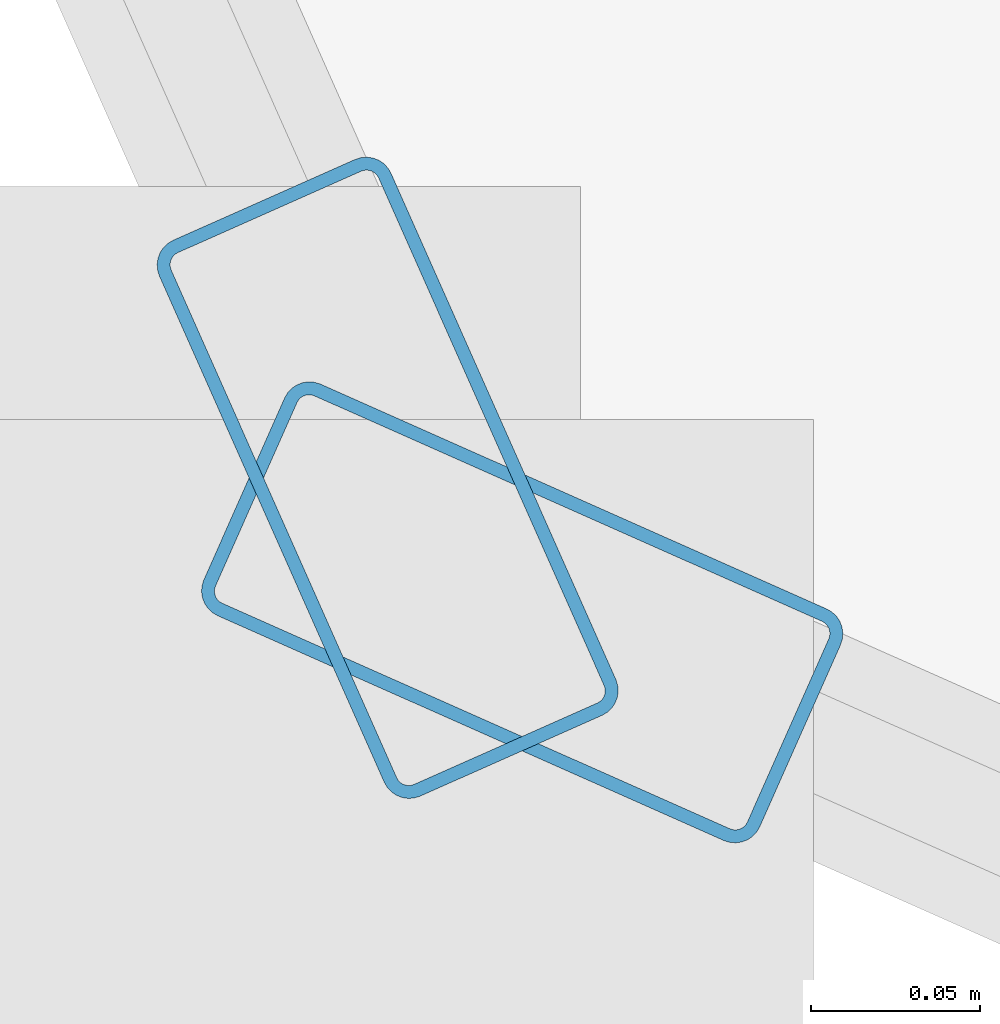
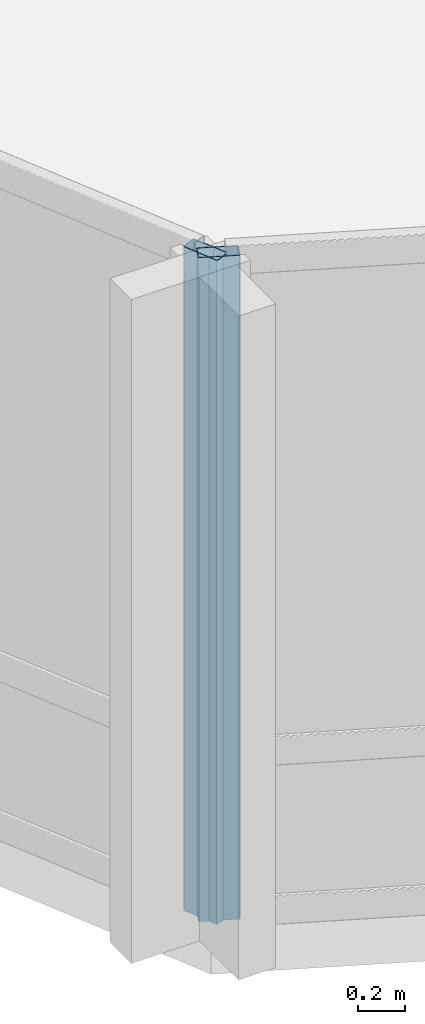
# One storey, part 2 of 34: 2 members, 2 elements without a shape of their own.
"""IFC4 building model written with IfcOpenShell, lengths in metres."""

from ifc_helpers import new_model, si_unit, direction, frame, origin, origin_2d, place, context, subcontext, project, spatial, hollow_rectangle, extrude, material, layer, layer_set, material_profile, profile_set, type_object, element, aggregate, save


model = new_model("IFC4")

# Units and contexts
model_context = context("Model", 3, precision=1e-05, world=origin(), true_north=direction((0.0, 1.0)))
body_context = subcontext(model_context, "Body", "Model", "MODEL_VIEW")
ifc_project = project(units=[si_unit("LENGTHUNIT", "METRE"), si_unit("AREAUNIT", "SQUARE_METRE"), si_unit("VOLUMEUNIT", "CUBIC_METRE"), si_unit("PLANEANGLEUNIT", "RADIAN"), si_unit("MASSUNIT", "GRAM", prefix="KILO")], contexts=[model_context])

# Site, building, storey
site_placement = place(None, origin())
site = spatial("IfcSite", under=ifc_project, at=site_placement, CompositionType="ELEMENT")
building_placement = place(site_placement, origin())
building = spatial("IfcBuilding", under=site, at=building_placement, Name="Solvaryn Broadcast Tower", CompositionType="ELEMENT")
storey_placement = place(building_placement, frame((0.0, 0.0, 69.300048828125)))
storey = spatial("IfcBuildingStorey", under=building, at=storey_placement, Name="L16", CompositionType="ELEMENT", Elevation=69.300048828125)

# Curtain wall, member
ifc_material_1 = material(Name="Aluminium and Terracotta Unitised Curtain Wall", Category="masonry")
ifc_layer_1 = layer(ifc_material_1, 0.239990234375)
ifc_layer_set_1 = layer_set([ifc_layer_1], Name="CW-SYS3-BAYBOX")
curtain_wall_type_1 = type_object("IfcCurtainWallType", Name="CW-SYS3-BAYBOX", PredefinedType="NOTDEFINED", material=ifc_layer_set_1)
curtain_wall_1_placement = place(storey_placement, origin())
curtain_wall_1 = element("IfcCurtainWall", 1, at=curtain_wall_1_placement, inside=storey, type_object=curtain_wall_type_1, Name="L16 Curtain Wall DR2", PredefinedType="NOTDEFINED")
ifc_material_2 = material(Name="Anodised Aluminium 6063-T6", Category="aluminium")
ifc_material_profile = material_profile(ifc_material_2, hollow_rectangle(XDim=0.074951171875, YDim=0.179931640625, WallThickness=0.00390625, InnerFilletRadius=0.00390625, OuterFilletRadius=0.008056640625, at=origin_2d()))
ifc_profile_set = profile_set([ifc_material_profile], Name="Anodised Aluminium 6063-T6")
member_type = type_object("IfcMemberType", Name="CW-MUL-180", PredefinedType="MULLION", material=ifc_profile_set)
member_1_placement = place(storey_placement, frame((7.834716796875, 7.87451171875, 0.0), z_axis=(0.0, 0.0, 1.0), x_axis=(0.913918257271, 0.405898286554, 0.0)))
member_1 = element("IfcMember", 2, at=member_1_placement, type_object=member_type, Name="CWS3 mullion 2", PredefinedType="MULLION", context=body_context, shape_type="SweptSolid", body=[
    extrude(hollow_rectangle(XDim=0.074951171875, YDim=0.179931640625, WallThickness=0.00390625, InnerFilletRadius=0.00390625, OuterFilletRadius=0.008056640625, at=origin_2d()), origin(), (0.0, 0.0, 1.0), 3.419921875),
])
aggregate(curtain_wall_1, [member_1])

ifc_material_3 = material(Name="Aluminium and Terracotta Unitised Curtain Wall", Category="masonry")
ifc_layer_2 = layer(ifc_material_3, 0.199951171875)
ifc_layer_set_2 = layer_set([ifc_layer_2], Name="CW-SYS2-LOWMID")
curtain_wall_type_2 = type_object("IfcCurtainWallType", Name="CW-SYS2-LOWMID", PredefinedType="NOTDEFINED", material=ifc_layer_set_2)
curtain_wall_2_placement = place(storey_placement, origin())
curtain_wall_2 = element("IfcCurtainWall", 3, at=curtain_wall_2_placement, inside=storey, type_object=curtain_wall_type_2, Name="L16 Curtain Wall DR3", PredefinedType="NOTDEFINED")
member_2_placement = place(storey_placement, frame((7.87451171875, 7.834716796875, 0.0), z_axis=(0.0, 0.0, 1.0), x_axis=(0.405898286554, 0.913918257271, 0.0)))
member_2 = element("IfcMember", 4, at=member_2_placement, type_object=member_type, Name="CWS2 mullion 1", PredefinedType="MULLION", context=body_context, shape_type="SweptSolid", body=[
    extrude(hollow_rectangle(XDim=0.074951171875, YDim=0.179931640625, WallThickness=0.00390625, InnerFilletRadius=0.00390625, OuterFilletRadius=0.008056640625, at=origin_2d()), origin(), (0.0, 0.0, 1.0), 3.419921875),
])
aggregate(curtain_wall_2, [member_2])

save(model, "model.ifc")
